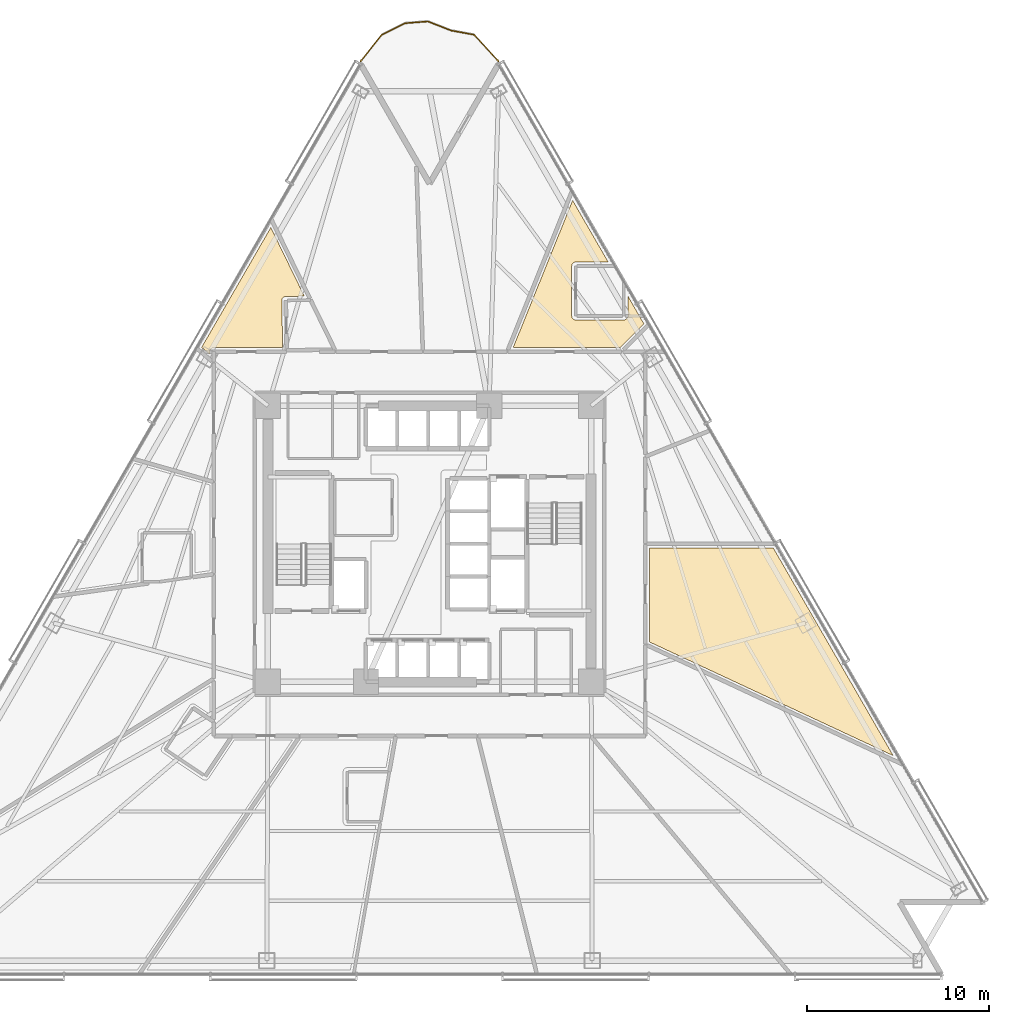
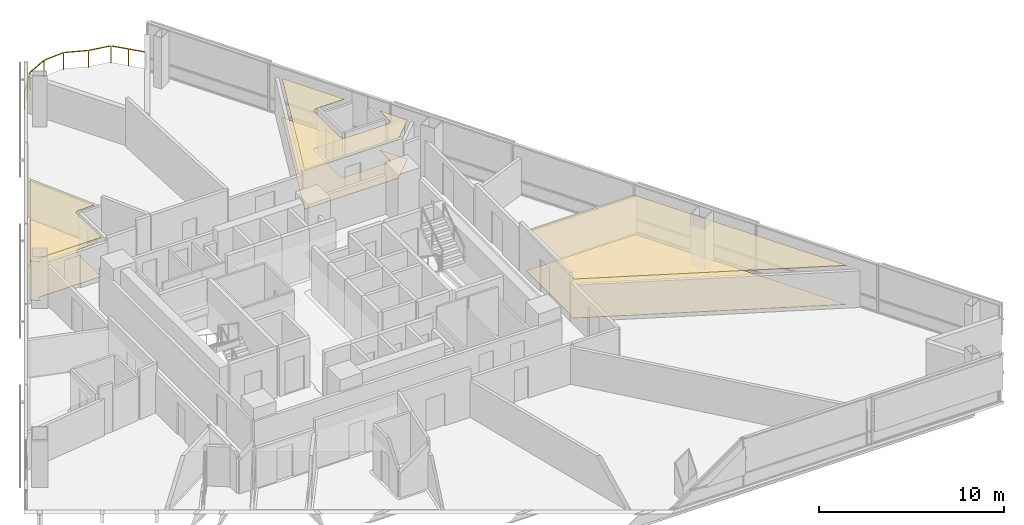
# One storey, part 16 of 16: 6 coverings, 1 railing.
"""IFC4 building model written with IfcOpenShell, lengths in metres."""

from ifc_helpers import new_model, si_unit, direction, frame, origin, origin_2d, place, context, subcontext, project, spatial, polyline, rectangle, outline, extrude, material, layer, layer_set, type_object, element, save


model = new_model("IFC4")

# Units and contexts
model_context = context("Model", 3, precision=1e-05, world=origin(), true_north=direction((0.0, 1.0)))
body_context = subcontext(model_context, "Body", "Model", "MODEL_VIEW")
ifc_project = project(units=[si_unit("LENGTHUNIT", "METRE"), si_unit("AREAUNIT", "SQUARE_METRE"), si_unit("VOLUMEUNIT", "CUBIC_METRE"), si_unit("PLANEANGLEUNIT", "RADIAN"), si_unit("MASSUNIT", "GRAM", prefix="KILO")], contexts=[model_context])

# Site, building, storey
site_placement = place(None, origin())
site = spatial("IfcSite", under=ifc_project, at=site_placement, CompositionType="ELEMENT")
building_placement = place(site_placement, origin())
building = spatial("IfcBuilding", under=site, at=building_placement, Name="Tharavind Bronze Gate", CompositionType="ELEMENT")
storey_placement = place(building_placement, frame((0.0, 0.0, 42.050048828125)))
storey = spatial("IfcBuildingStorey", under=building, at=storey_placement, Name="L09", CompositionType="ELEMENT", Elevation=42.050048828125)

# Coverings
ifc_material_1 = material(Name="Engineered Oak & Carpet Tile", Category="wood")
ifc_layer_1 = layer(ifc_material_1, 0.02490234375)
ifc_layer_set_1 = layer_set([ifc_layer_1], Name="Engineered Oak & Carpet Tile")
covering_type_1 = type_object("IfcCoveringType", Name="ENGINEERED TIMBER FLOORING", PredefinedType="FLOORING", material=ifc_layer_set_1)
covering_1_placement = place(storey_placement, origin())
element("IfcCovering", 1, at=covering_1_placement, inside=storey, type_object=covering_type_1, Name="L09-RM-03 floor finish", PredefinedType="FLOORING", context=body_context, shape_type="SweptSolid", body=[
    extrude(outline(polyline([(10.489013671875, 10.800048828125), (11.803955078125, 12.114990234375), (10.919921875, 13.64599609375), (10.919921875, 12.550048828125), (10.9189453125, 12.5283203125), (10.915771484375, 12.507080078125), (10.910400390625, 12.486083984375), (10.9033203125, 12.4658203125), (10.89404296875, 12.4462890625), (10.8828125, 12.427734375), (10.8701171875, 12.410400390625), (10.855712890625, 12.394287109375), (10.839599609375, 12.3798828125), (10.822265625, 12.3671875), (10.8037109375, 12.35595703125), (10.7841796875, 12.3466796875), (10.763916015625, 12.339599609375), (10.742919921875, 12.334228515625), (10.7216796875, 12.3310546875), (10.699951171875, 12.330078125), (8.050048828125, 12.330078125), (8.0283203125, 12.3310546875), (8.007080078125, 12.334228515625), (7.986083984375, 12.339599609375), (7.9658203125, 12.3466796875), (7.9462890625, 12.35595703125), (7.927734375, 12.3671875), (7.910400390625, 12.3798828125), (7.894287109375, 12.394287109375), (7.8798828125, 12.410400390625), (7.8671875, 12.427734375), (7.85595703125, 12.4462890625), (7.8466796875, 12.4658203125), (7.839599609375, 12.486083984375), (7.834228515625, 12.507080078125), (7.8310546875, 12.5283203125), (7.830078125, 12.550048828125), (7.830078125, 15.300048828125), (7.8310546875, 15.321533203125), (7.834228515625, 15.343017578125), (7.839599609375, 15.364013671875), (7.8466796875, 15.38427734375), (7.85595703125, 15.40380859375), (7.8671875, 15.422119140625), (7.8798828125, 15.439697265625), (7.894287109375, 15.45556640625), (7.910400390625, 15.47021484375), (7.927734375, 15.48291015625), (7.9462890625, 15.493896484375), (7.9658203125, 15.50341796875), (7.986083984375, 15.510498046875), (8.007080078125, 15.515869140625), (8.0283203125, 15.518798828125), (8.050048828125, 15.52001953125), (9.838134765625, 15.52001953125), (7.87890625, 18.91357421875), (4.600830078125, 10.800048828125), (10.489013671875, 10.800048828125)])), origin(), (0.0, 0.0, 1.0), 0.02490234375),
])
covering_2_placement = place(storey_placement, origin())
element("IfcCovering", 2, at=covering_2_placement, inside=storey, type_object=covering_type_1, Name="L09-RM-06 floor finish", PredefinedType="FLOORING", context=body_context, shape_type="SweptSolid", body=[
    extrude(outline(polyline([(-12.10009765625, 10.440185546875), (-12.10009765625, 10.579345703125), (-12.099609375, 10.590087890625), (-12.099609375, 10.5908203125), (-12.09765625, 10.6123046875), (-12.093505859375, 10.63330078125), (-12.087158203125, 10.654052734375), (-12.078857421875, 10.674072265625), (-12.068603515625, 10.693115234375), (-12.056640625, 10.7109375), (-12.04296875, 10.727783203125), (-12.027587890625, 10.742919921875), (-12.010986328125, 10.756591796875), (-11.9931640625, 10.768798828125), (-11.97412109375, 10.77880859375), (-11.9541015625, 10.787109375), (-11.933349609375, 10.79345703125), (-11.912353515625, 10.797607421875), (-11.890869140625, 10.7998046875), (-11.89013671875, 10.7998046875), (-11.87939453125, 10.800048828125), (-8.091064453125, 10.800048828125), (-8.1376953125, 13.397705078125), (-8.13720703125, 13.41943359375), (-8.134521484375, 13.44091796875), (-8.12939453125, 13.4619140625), (-8.12255859375, 13.482421875), (-8.11376953125, 13.501953125), (-8.102783203125, 13.520751953125), (-8.09033203125, 13.538330078125), (-8.076171875, 13.554443359375), (-8.060546875, 13.5693359375), (-8.04345703125, 13.58251953125), (-8.02490234375, 13.593994140625), (-8.005615234375, 13.603515625), (-7.985595703125, 13.611083984375), (-7.964599609375, 13.61669921875), (-7.943359375, 13.620361328125), (-7.921875, 13.621826171875), (-6.897705078125, 13.64013671875), (-8.7412109375, 17.419921875), (-12.552001953125, 10.819580078125), (-12.10009765625, 10.440185546875)])), origin(), (0.0, 0.0, 1.0), 0.02490234375),
])
covering_3_placement = place(storey_placement, origin())
element("IfcCovering", 3, at=covering_3_placement, inside=storey, type_object=covering_type_1, Name="L09-RM-15 floor finish", PredefinedType="FLOORING", context=body_context, shape_type="SweptSolid", body=[
    extrude(outline(polyline([(12.10009765625, -5.399658203125), (25.5322265625, -11.6630859375), (18.925537109375, -0.219970703125), (12.10009765625, -0.219970703125), (12.10009765625, -5.399658203125)])), origin(), (0.0, 0.0, 1.0), 0.02490234375),
])
ifc_material_2 = material(Name="Acoustic Gypsum Board", Category="gypsum")
ifc_layer_2 = layer(ifc_material_2, 0.030029296875)
ifc_layer_set_2 = layer_set([ifc_layer_2], Name="Acoustic Gypsum Board")
covering_type_2 = type_object("IfcCoveringType", Name="GYPSUM SUSPENDED CEILING", PredefinedType="CEILING", material=ifc_layer_set_2)
covering_4_placement = place(storey_placement, frame((0.0, 0.0, 2.574951171875)))
element("IfcCovering", 4, at=covering_4_placement, inside=storey, type_object=covering_type_2, Name="L09-RM-03 suspended ceiling", PredefinedType="CEILING", context=body_context, shape_type="SweptSolid", body=[
    extrude(outline(polyline([(10.489013671875, 10.800048828125), (11.803955078125, 12.114990234375), (10.919921875, 13.64599609375), (10.919921875, 12.550048828125), (10.9189453125, 12.5283203125), (10.915771484375, 12.507080078125), (10.910400390625, 12.486083984375), (10.9033203125, 12.4658203125), (10.89404296875, 12.4462890625), (10.8828125, 12.427734375), (10.8701171875, 12.410400390625), (10.855712890625, 12.394287109375), (10.839599609375, 12.3798828125), (10.822265625, 12.3671875), (10.8037109375, 12.35595703125), (10.7841796875, 12.3466796875), (10.763916015625, 12.339599609375), (10.742919921875, 12.334228515625), (10.7216796875, 12.3310546875), (10.699951171875, 12.330078125), (8.050048828125, 12.330078125), (8.0283203125, 12.3310546875), (8.007080078125, 12.334228515625), (7.986083984375, 12.339599609375), (7.9658203125, 12.3466796875), (7.9462890625, 12.35595703125), (7.927734375, 12.3671875), (7.910400390625, 12.3798828125), (7.894287109375, 12.394287109375), (7.8798828125, 12.410400390625), (7.8671875, 12.427734375), (7.85595703125, 12.4462890625), (7.8466796875, 12.4658203125), (7.839599609375, 12.486083984375), (7.834228515625, 12.507080078125), (7.8310546875, 12.5283203125), (7.830078125, 12.550048828125), (7.830078125, 15.300048828125), (7.8310546875, 15.321533203125), (7.834228515625, 15.343017578125), (7.839599609375, 15.364013671875), (7.8466796875, 15.38427734375), (7.85595703125, 15.40380859375), (7.8671875, 15.422119140625), (7.8798828125, 15.439697265625), (7.894287109375, 15.45556640625), (7.910400390625, 15.47021484375), (7.927734375, 15.48291015625), (7.9462890625, 15.493896484375), (7.9658203125, 15.50341796875), (7.986083984375, 15.510498046875), (8.007080078125, 15.515869140625), (8.0283203125, 15.518798828125), (8.050048828125, 15.52001953125), (9.838134765625, 15.52001953125), (7.87890625, 18.91357421875), (4.600830078125, 10.800048828125), (10.489013671875, 10.800048828125)])), origin(), (0.0, 0.0, 1.0), 0.034912109375),
])
covering_5_placement = place(storey_placement, frame((0.0, 0.0, 2.574951171875)))
element("IfcCovering", 5, at=covering_5_placement, inside=storey, type_object=covering_type_2, Name="L09-RM-06 suspended ceiling", PredefinedType="CEILING", context=body_context, shape_type="SweptSolid", body=[
    extrude(outline(polyline([(-12.10009765625, 10.440185546875), (-12.10009765625, 10.579345703125), (-12.099609375, 10.590087890625), (-12.099609375, 10.5908203125), (-12.09765625, 10.6123046875), (-12.093505859375, 10.63330078125), (-12.087158203125, 10.654052734375), (-12.078857421875, 10.674072265625), (-12.068603515625, 10.693115234375), (-12.056640625, 10.7109375), (-12.04296875, 10.727783203125), (-12.027587890625, 10.742919921875), (-12.010986328125, 10.756591796875), (-11.9931640625, 10.768798828125), (-11.97412109375, 10.77880859375), (-11.9541015625, 10.787109375), (-11.933349609375, 10.79345703125), (-11.912353515625, 10.797607421875), (-11.890869140625, 10.7998046875), (-11.89013671875, 10.7998046875), (-11.87939453125, 10.800048828125), (-8.091064453125, 10.800048828125), (-8.1376953125, 13.397705078125), (-8.13720703125, 13.41943359375), (-8.134521484375, 13.44091796875), (-8.12939453125, 13.4619140625), (-8.12255859375, 13.482421875), (-8.11376953125, 13.501953125), (-8.102783203125, 13.520751953125), (-8.09033203125, 13.538330078125), (-8.076171875, 13.554443359375), (-8.060546875, 13.5693359375), (-8.04345703125, 13.58251953125), (-8.02490234375, 13.593994140625), (-8.005615234375, 13.603515625), (-7.985595703125, 13.611083984375), (-7.964599609375, 13.61669921875), (-7.943359375, 13.620361328125), (-7.921875, 13.621826171875), (-6.897705078125, 13.64013671875), (-8.7412109375, 17.419921875), (-12.552001953125, 10.819580078125), (-12.10009765625, 10.440185546875)])), origin(), (0.0, 0.0, 1.0), 0.034912109375),
])
covering_6_placement = place(storey_placement, frame((0.0, 0.0, 2.574951171875)))
element("IfcCovering", 6, at=covering_6_placement, inside=storey, type_object=covering_type_2, Name="L09-RM-15 suspended ceiling", PredefinedType="CEILING", context=body_context, shape_type="SweptSolid", body=[
    extrude(outline(polyline([(12.10009765625, -5.399658203125), (25.5322265625, -11.6630859375), (18.925537109375, -0.219970703125), (12.10009765625, -0.219970703125), (12.10009765625, -5.399658203125)])), origin(), (0.0, 0.0, 1.0), 0.034912109375),
])

# Railing
ifc_material_3 = material(Name="Bronze Cap & Laminated Glass", Category="glass")
railing_type = type_object("IfcRailingType", Name="TERRACE GLASS GUARD RAILING 1150", PredefinedType="GUARDRAIL", material=ifc_material_3)
railing_placement = place(storey_placement, frame((-3.800048828125, 26.578125, 0.0)))
element("IfcRailing", 7, at=railing_placement, inside=storey, type_object=railing_type, Name="L09 tree balcony guard railing", PredefinedType="GUARDRAIL", context=body_context, shape_type="SweptSolid", body=[
    extrude(rectangle(XDim=0.048095703125, YDim=0.048095703125, at=origin_2d()), frame((0.02001953125, 0.02490234375, 1.1259765625), z_axis=(0.627706650624, 0.778449973192, 0.0), x_axis=(-0.778449973192, 0.627706650624, 0.0)), (0.0, 0.0, 1.0), 1.8115234375),
    extrude(rectangle(XDim=0.048095703125, YDim=0.048095703125, at=origin_2d()), frame((1.205810546875, 1.47412109375, 1.1259765625), z_axis=(0.89511626958, 0.445832775751, 0.0), x_axis=(-0.445832775751, 0.89511626958, 0.0)), (0.0, 0.0, 1.0), 1.35107421875),
    extrude(rectangle(XDim=0.048095703125, YDim=0.048095703125, at=origin_2d()), frame((2.475830078125, 2.09326171875, 1.1259765625), z_axis=(0.996951873955, 0.078018978571, 0.0), x_axis=(-0.078018978571, 0.996951873955, 0.0)), (0.0, 0.0, 1.0), 1.20654296875),
    extrude(rectangle(XDim=0.048095703125, YDim=0.048095703125, at=origin_2d()), frame((3.740234375, 2.17822265625, 1.1259765625), z_axis=(0.930539907569, -0.366190497448, 0.0), x_axis=(0.366190497448, 0.930539907569, 0.0)), (0.0, 0.0, 1.0), 1.29736328125),
    extrude(rectangle(XDim=0.048095703125, YDim=0.048095703125, at=origin_2d()), frame((5.0087890625, 1.685546875, 1.1259765625), z_axis=(0.983711769564, -0.179753037307, 0.0), x_axis=(0.179753037307, 0.983711769564, 0.0)), (0.0, 0.0, 1.0), 1.2236328125),
    extrude(rectangle(XDim=0.048095703125, YDim=0.048095703125, at=origin_2d()), frame((6.265625, 1.4365234375, 1.1259765625), z_axis=(0.680592067339, -0.732662567541, 0.0), x_axis=(0.732662567541, 0.680592067339, 0.0)), (0.0, 0.0, 1.0), 1.9287109375),
    extrude(rectangle(XDim=0.0400390625, YDim=0.0400390625, at=origin_2d()), origin(), (0.0, 0.0, 1.0), 1.097900390625),
    extrude(rectangle(XDim=0.0400390625, YDim=0.0400390625, at=origin_2d()), frame((0.588623046875, 0.72998046875, 0.0)), (0.0, 0.0, 1.0), 1.097900390625),
    extrude(rectangle(XDim=0.0400390625, YDim=0.0400390625, at=origin_2d()), frame((1.17724609375, 1.4599609375, 0.0)), (0.0, 0.0, 1.0), 1.097900390625),
    extrude(rectangle(XDim=0.0400390625, YDim=0.0400390625, at=origin_2d()), frame((2.44384765625, 2.0908203125, 0.0)), (0.0, 0.0, 1.0), 1.097900390625),
    extrude(rectangle(XDim=0.0400390625, YDim=0.0400390625, at=origin_2d()), frame((3.71044921875, 2.18994140625, 0.0)), (0.0, 0.0, 1.0), 1.097900390625),
    extrude(rectangle(XDim=0.0400390625, YDim=0.0400390625, at=origin_2d()), frame((4.977294921875, 1.69140625, 0.0)), (0.0, 0.0, 1.0), 1.097900390625),
    extrude(rectangle(XDim=0.0400390625, YDim=0.0400390625, at=origin_2d()), frame((6.243896484375, 1.4599609375, 0.0)), (0.0, 0.0, 1.0), 1.097900390625),
    extrude(rectangle(XDim=0.0400390625, YDim=0.0400390625, at=origin_2d()), frame((6.921875, 0.72998046875, 0.0)), (0.0, 0.0, 1.0), 1.097900390625),
    extrude(rectangle(XDim=0.0400390625, YDim=0.0400390625, at=origin_2d()), frame((7.60009765625, 0.0, 0.0)), (0.0, 0.0, 1.0), 1.097900390625),
])

save(model, "model.ifc")
